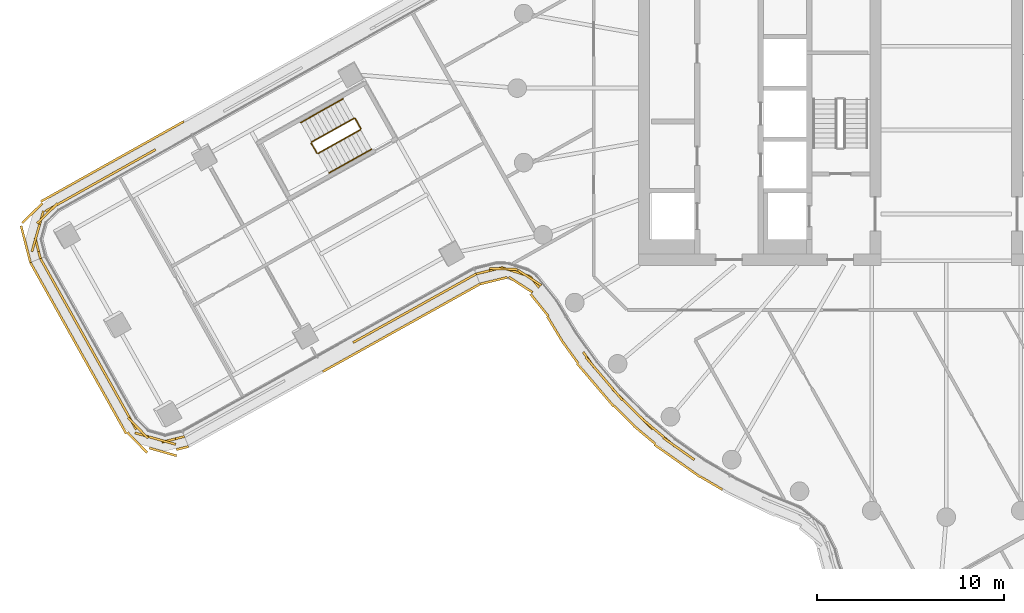
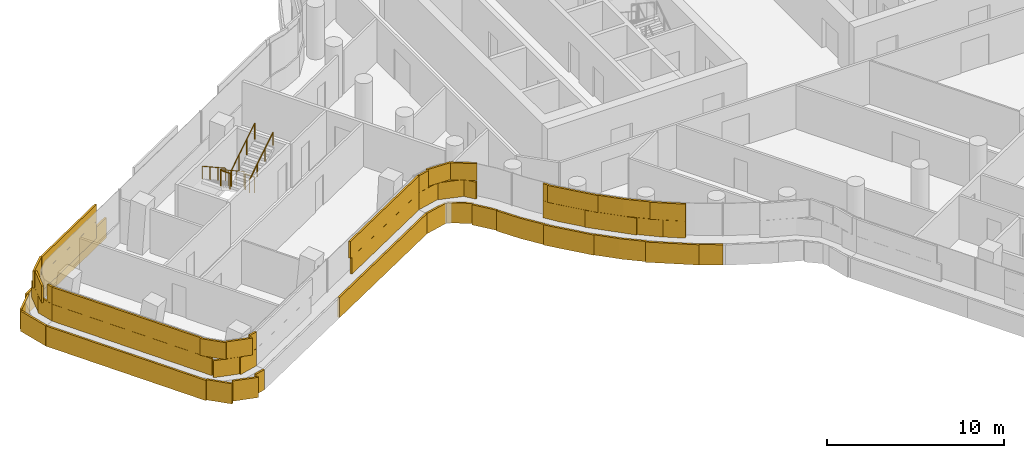
# One storey, part 29 of 34: 6 railings, 4 coverings.
"""IFC4 building model written with IfcOpenShell, lengths in metres."""

from ifc_helpers import new_model, si_unit, direction, frame, origin, origin_2d, place, context, subcontext, project, spatial, rectangle, circle, extrude, material, layer, layer_set, type_object, element, save


model = new_model("IFC4")

# Units and contexts
model_context = context("Model", 3, precision=1e-05, world=origin(), true_north=direction((0.0, 1.0)))
body_context = subcontext(model_context, "Body", "Model", "MODEL_VIEW")
ifc_project = project(units=[si_unit("LENGTHUNIT", "METRE"), si_unit("AREAUNIT", "SQUARE_METRE"), si_unit("VOLUMEUNIT", "CUBIC_METRE"), si_unit("PLANEANGLEUNIT", "RADIAN"), si_unit("MASSUNIT", "GRAM", prefix="KILO")], contexts=[model_context])

# Site, building, storey
site_placement = place(None, origin())
site = spatial("IfcSite", under=ifc_project, at=site_placement, CompositionType="ELEMENT")
building_placement = place(site_placement, origin())
building = spatial("IfcBuilding", under=site, at=building_placement, Name="Tamarind Cross Interchange Tower", CompositionType="ELEMENT")
storey_placement = place(building_placement, frame((0.0, 0.0, 140.5)))
storey = spatial("IfcBuildingStorey", under=building, at=storey_placement, Name="L34", CompositionType="ELEMENT", Elevation=140.5)

# Railings
ifc_material_1 = material(Name="Stair guard")
railing_type_1 = type_object("IfcRailingType", Name="Stair guard", PredefinedType="GUARDRAIL", material=ifc_material_1)
railing_1_placement = place(storey_placement, frame((-31.7509765625, -1.6220703125, 0.17041015625)))
element("IfcRailing", 1, at=railing_1_placement, inside=storey, type_object=railing_type_1, Name="L34 ST5 stair guard 1", PredefinedType="GUARDRAIL", context=body_context, shape_type="SweptSolid", body=[
    extrude(circle(Radius=0.02392578125, at=origin_2d()), frame((0.0, 0.0, 1.076171875), z_axis=(-0.72962628909, -0.408672393545, 0.548299510325), x_axis=(0.488677712788, -0.87246437923, 0.0)), (0.0, 0.0, 1.0), 3.10888671875),
    extrude(circle(Radius=0.02099609375, at=origin_2d()), origin(), (0.0, 0.0, 1.0), 1.052001953125),
    extrude(circle(Radius=0.02099609375, at=origin_2d()), frame((-0.756103515625, -0.423583984375, 0.568115234375)), (0.0, 0.0, 1.0), 1.052001953125),
    extrude(circle(Radius=0.02099609375, at=origin_2d()), frame((-1.51220703125, -0.846923828125, 1.136474609375)), (0.0, 0.0, 1.0), 1.052001953125),
    extrude(circle(Radius=0.02099609375, at=origin_2d()), frame((-2.268310546875, -1.2705078125, 1.70458984375)), (0.0, 0.0, 1.0), 1.052001953125),
])
railing_2_placement = place(storey_placement, frame((-34.03857421875, -2.960693359375, 1.875)))
element("IfcRailing", 2, at=railing_2_placement, inside=storey, type_object=railing_type_1, Name="L34 ST5 stair guard 2", PredefinedType="GUARDRAIL", context=body_context, shape_type="SweptSolid", body=[
    extrude(circle(Radius=0.02392578125, at=origin_2d()), frame((0.0, 0.0, 1.076171875), z_axis=(0.488714884725, -0.872443557744, 0.0), x_axis=(0.872443557744, 0.488714884725, 0.0)), (0.0, 0.0, 1.0), 0.599853515625),
    extrude(circle(Radius=0.02099609375, at=origin_2d()), origin(), (0.0, 0.0, 1.0), 1.052001953125),
    extrude(circle(Radius=0.02099609375, at=origin_2d()), frame((0.293212890625, -0.5234375, 0.0)), (0.0, 0.0, 1.0), 1.052001953125),
])
railing_3_placement = place(storey_placement, frame((-33.67724609375, -3.50341796875, 2.04541015625)))
element("IfcRailing", 3, at=railing_3_placement, inside=storey, type_object=railing_type_1, Name="L34 ST5 stair guard 3", PredefinedType="GUARDRAIL", context=body_context, shape_type="SweptSolid", body=[
    extrude(circle(Radius=0.02392578125, at=origin_2d()), frame((0.0, 0.0, 1.076171875), z_axis=(0.72960287191, 0.408737805219, 0.548281912784), x_axis=(-0.488749187227, 0.872424341696, 0.0)), (0.0, 0.0, 1.0), 3.10888671875),
    extrude(circle(Radius=0.02099609375, at=origin_2d()), origin(), (0.0, 0.0, 1.0), 1.052001953125),
    extrude(circle(Radius=0.02099609375, at=origin_2d()), frame((0.756103515625, 0.423583984375, 0.568115234375)), (0.0, 0.0, 1.0), 1.052001953125),
    extrude(circle(Radius=0.02099609375, at=origin_2d()), frame((1.51220703125, 0.84716796875, 1.136474609375)), (0.0, 0.0, 1.0), 1.052001953125),
    extrude(circle(Radius=0.02099609375, at=origin_2d()), frame((2.268310546875, 1.270751953125, 1.70458984375)), (0.0, 0.0, 1.0), 1.052001953125),
])
railing_4_placement = place(storey_placement, frame((-31.682861328125, -1.641357421875, 0.0)))
element("IfcRailing", 4, at=railing_4_placement, inside=storey, type_object=railing_type_1, Name="L34 ST5 stair guard 4", PredefinedType="GUARDRAIL", context=body_context, shape_type="SweptSolid", body=[
    extrude(circle(Radius=0.02392578125, at=origin_2d()), frame((0.0, 0.0, 1.076171875), z_axis=(0.488714884725, -0.872443557744, 0.0), x_axis=(0.872443557744, 0.488714884725, 0.0)), (0.0, 0.0, 1.0), 0.599853515625),
    extrude(circle(Radius=0.02099609375, at=origin_2d()), origin(), (0.0, 0.0, 1.0), 1.052001953125),
    extrude(circle(Radius=0.02099609375, at=origin_2d()), frame((0.293212890625, -0.5234375, 0.0)), (0.0, 0.0, 1.0), 1.052001953125),
])
ifc_material_2 = material(Name="Stair handrail")
railing_type_2 = type_object("IfcRailingType", Name="Stair handrail", PredefinedType="HANDRAIL", material=ifc_material_2)
railing_5_placement = place(storey_placement, frame((-32.33740234375, -0.5751953125, 0.17041015625)))
element("IfcRailing", 5, at=railing_5_placement, inside=storey, type_object=railing_type_2, Name="L34 ST5 stair handrail 1", PredefinedType="HANDRAIL", context=body_context, shape_type="SweptSolid", body=[
    extrude(circle(Radius=0.02392578125, at=origin_2d()), frame((0.0, 0.0, 0.8759765625), z_axis=(-0.72962628909, -0.408672393545, 0.548299510325), x_axis=(0.488677712788, -0.87246437923, 0.0)), (0.0, 0.0, 1.0), 3.10888671875),
    extrude(circle(Radius=0.02099609375, at=origin_2d()), origin(), (0.0, 0.0, 1.0), 0.851806640625),
    extrude(circle(Radius=0.02099609375, at=origin_2d()), frame((-0.756103515625, -0.423583984375, 0.568115234375)), (0.0, 0.0, 1.0), 0.851806640625),
    extrude(circle(Radius=0.02099609375, at=origin_2d()), frame((-1.51220703125, -0.846923828125, 1.136474609375)), (0.0, 0.0, 1.0), 0.851806640625),
    extrude(circle(Radius=0.02099609375, at=origin_2d()), frame((-2.268310546875, -1.2705078125, 1.70458984375)), (0.0, 0.0, 1.0), 0.851806640625),
])
railing_6_placement = place(storey_placement, frame((-33.0908203125, -4.55029296875, 2.04541015625)))
element("IfcRailing", 6, at=railing_6_placement, inside=storey, type_object=railing_type_2, Name="L34 ST5 stair handrail 2", PredefinedType="HANDRAIL", context=body_context, shape_type="SweptSolid", body=[
    extrude(circle(Radius=0.02392578125, at=origin_2d()), frame((0.0, 0.0, 0.8759765625), z_axis=(0.72962628909, 0.408672393545, 0.548299510325), x_axis=(-0.488677712788, 0.87246437923, 0.0)), (0.0, 0.0, 1.0), 3.10888671875),
    extrude(circle(Radius=0.02099609375, at=origin_2d()), origin(), (0.0, 0.0, 1.0), 0.851806640625),
    extrude(circle(Radius=0.02099609375, at=origin_2d()), frame((0.756103515625, 0.423583984375, 0.568115234375)), (0.0, 0.0, 1.0), 0.851806640625),
    extrude(circle(Radius=0.02099609375, at=origin_2d()), frame((1.51220703125, 0.846923828125, 1.136474609375)), (0.0, 0.0, 1.0), 0.851806640625),
    extrude(circle(Radius=0.02099609375, at=origin_2d()), frame((2.268310546875, 1.2705078125, 1.70458984375)), (0.0, 0.0, 1.0), 0.851806640625),
])

# Coverings
ifc_material_3 = material(Name="Terracotta", Category="masonry")
ifc_layer = layer(ifc_material_3, 0.1201171875)
ifc_layer_set = layer_set([ifc_layer], Name="Terracotta")
covering_type = type_object("IfcCoveringType", Name="Terracotta baguette screen unit", PredefinedType="MOLDING", material=ifc_layer_set)
covering_1_placement = place(storey_placement, origin())
element("IfcCovering", 7, at=covering_1_placement, inside=storey, type_object=covering_type, Name="SCR-L34-00-00", PredefinedType="MOLDING", context=body_context, shape_type="SweptSolid", body=[
    extrude(rectangle(XDim=1.510009765625, YDim=0.1201171875, at=origin_2d()), frame((-48.196533203125, -9.78857421875, 1.404052734375), z_axis=(0.0, 0.0, 1.0), x_axis=(0.488688242939, -0.872458481082, 0.0)), (0.0, 0.0, 1.0), 1.1669921875),
    extrude(rectangle(XDim=1.52001953125, YDim=0.1201171875, at=origin_2d()), frame((-47.46337890625, -11.09716796875, 1.404052734375), z_axis=(0.0, 0.0, 1.0), x_axis=(0.488688242939, -0.872458481082, 0.0)), (0.0, 0.0, 1.0), 1.1669921875),
    extrude(rectangle(XDim=1.52001953125, YDim=0.1201171875, at=origin_2d()), frame((-46.73046875, -12.40576171875, 1.404052734375), z_axis=(0.0, 0.0, 1.0), x_axis=(0.488688242939, -0.872458481082, 0.0)), (0.0, 0.0, 1.0), 1.1669921875),
    extrude(rectangle(XDim=1.52001953125, YDim=0.1201171875, at=origin_2d()), frame((-45.997314453125, -13.714599609375, 1.404052734375), z_axis=(0.0, 0.0, 1.0), x_axis=(0.488688242939, -0.872458481082, 0.0)), (0.0, 0.0, 1.0), 1.1669921875),
    extrude(rectangle(XDim=1.52001953125, YDim=0.1201171875, at=origin_2d()), frame((-45.264404296875, -15.023193359375, 1.404052734375), z_axis=(0.0, 0.0, 1.0), x_axis=(0.488688242939, -0.872458481082, 0.0)), (0.0, 0.0, 1.0), 1.1669921875),
    extrude(rectangle(XDim=1.52001953125, YDim=0.1201171875, at=origin_2d()), frame((-44.53125, -16.331787109375, 1.404052734375), z_axis=(0.0, 0.0, 1.0), x_axis=(0.488688242939, -0.872458481082, 0.0)), (0.0, 0.0, 1.0), 1.1669921875),
    extrude(rectangle(XDim=1.52001953125, YDim=0.1201171875, at=origin_2d()), frame((-43.79833984375, -17.640625, 1.404052734375), z_axis=(0.0, 0.0, 1.0), x_axis=(0.488688242939, -0.872458481082, 0.0)), (0.0, 0.0, 1.0), 1.1669921875),
    extrude(rectangle(XDim=1.52001953125, YDim=0.1201171875, at=origin_2d()), frame((-42.767578125, -18.688720703125, 1.404052734375), z_axis=(0.0, 0.0, 1.0), x_axis=(0.962476078746, -0.271366537809, 0.0)), (0.0, 0.0, 1.0), 1.1669921875),
    extrude(rectangle(XDim=1.259521484375, YDim=0.1201171875, at=origin_2d()), frame((-41.44140625, -18.830810546875, 1.404052734375), z_axis=(0.0, 0.0, 1.0), x_axis=(0.969212003633, 0.246227723894, 0.0)), (0.0, 0.0, 1.0), 1.1669921875),
    extrude(rectangle(XDim=0.760009765625, YDim=0.1201171875, at=origin_2d()), frame((-48.379638671875, -9.461181640625, 2.5791015625), z_axis=(0.0, 0.0, 1.0), x_axis=(0.488688242939, -0.872458481082, 0.0)), (0.0, 0.0, 1.0), 1.1669921875),
    extrude(rectangle(XDim=1.52001953125, YDim=0.1201171875, at=origin_2d()), frame((-47.829833984375, -10.44287109375, 2.5791015625), z_axis=(0.0, 0.0, 1.0), x_axis=(0.488688242939, -0.872458481082, 0.0)), (0.0, 0.0, 1.0), 1.1669921875),
    extrude(rectangle(XDim=1.52001953125, YDim=0.1201171875, at=origin_2d()), frame((-47.096923828125, -11.75146484375, 2.5791015625), z_axis=(0.0, 0.0, 1.0), x_axis=(0.488688242939, -0.872458481082, 0.0)), (0.0, 0.0, 1.0), 1.1669921875),
    extrude(rectangle(XDim=1.52001953125, YDim=0.1201171875, at=origin_2d()), frame((-46.36376953125, -13.060302734375, 2.5791015625), z_axis=(0.0, 0.0, 1.0), x_axis=(0.488688242939, -0.872458481082, 0.0)), (0.0, 0.0, 1.0), 1.1669921875),
    extrude(rectangle(XDim=1.52001953125, YDim=0.1201171875, at=origin_2d()), frame((-45.630859375, -14.368896484375, 2.5791015625), z_axis=(0.0, 0.0, 1.0), x_axis=(0.488688242939, -0.872458481082, 0.0)), (0.0, 0.0, 1.0), 1.1669921875),
    extrude(rectangle(XDim=1.52001953125, YDim=0.1201171875, at=origin_2d()), frame((-44.897705078125, -15.677490234375, 2.5791015625), z_axis=(0.0, 0.0, 1.0), x_axis=(0.488688242939, -0.872458481082, 0.0)), (0.0, 0.0, 1.0), 1.1669921875),
    extrude(rectangle(XDim=1.52001953125, YDim=0.1201171875, at=origin_2d()), frame((-44.164794921875, -16.986328125, 2.5791015625), z_axis=(0.0, 0.0, 1.0), x_axis=(0.488688242939, -0.872458481082, 0.0)), (0.0, 0.0, 1.0), 1.1669921875),
    extrude(rectangle(XDim=1.52001953125, YDim=0.1201171875, at=origin_2d()), frame((-43.33203125, -18.220458984375, 2.5791015625), z_axis=(0.0, 0.0, 1.0), x_axis=(0.697845465824, -0.716248354852, 0.0)), (0.0, 0.0, 1.0), 1.1669921875),
    extrude(rectangle(XDim=1.52001953125, YDim=0.1201171875, at=origin_2d()), frame((-42.0458984375, -18.892333984375, 2.5791015625), z_axis=(0.0, 0.0, 1.0), x_axis=(0.962476078746, -0.271366537809, 0.0)), (0.0, 0.0, 1.0), 1.1669921875),
    extrude(rectangle(XDim=0.509521484375, YDim=0.1201171875, at=origin_2d()), frame((-41.077880859375, -18.738525390625, 2.5791015625), z_axis=(0.0, 0.0, 1.0), x_axis=(0.969212003633, 0.246227723894, 0.0)), (0.0, 0.0, 1.0), 1.1669921875),
    extrude(rectangle(XDim=1.510009765625, YDim=0.1201171875, at=origin_2d()), frame((-48.731689453125, -10.00732421875, 0.00390625), z_axis=(0.0, 0.0, 1.0), x_axis=(0.488688242939, -0.872458481082, 0.0)), (0.0, 0.0, 1.0), 1.39208984375),
    extrude(rectangle(XDim=1.52001953125, YDim=0.1201171875, at=origin_2d()), frame((-48.001220703125, -11.311767578125, 0.00390625), z_axis=(0.0, 0.0, 1.0), x_axis=(0.488688242939, -0.872458481082, 0.0)), (0.0, 0.0, 1.0), 1.39208984375),
    extrude(rectangle(XDim=1.52001953125, YDim=0.1201171875, at=origin_2d()), frame((-47.26806640625, -12.620361328125, 0.00390625), z_axis=(0.0, 0.0, 1.0), x_axis=(0.488688242939, -0.872458481082, 0.0)), (0.0, 0.0, 1.0), 1.39208984375),
    extrude(rectangle(XDim=1.52001953125, YDim=0.1201171875, at=origin_2d()), frame((-46.53515625, -13.92919921875, 0.00390625), z_axis=(0.0, 0.0, 1.0), x_axis=(0.488688242939, -0.872458481082, 0.0)), (0.0, 0.0, 1.0), 1.39208984375),
    extrude(rectangle(XDim=1.52001953125, YDim=0.1201171875, at=origin_2d()), frame((-45.802001953125, -15.23779296875, 0.00390625), z_axis=(0.0, 0.0, 1.0), x_axis=(0.488688242939, -0.872458481082, 0.0)), (0.0, 0.0, 1.0), 1.39208984375),
    extrude(rectangle(XDim=1.52001953125, YDim=0.1201171875, at=origin_2d()), frame((-45.069091796875, -16.54638671875, 0.00390625), z_axis=(0.0, 0.0, 1.0), x_axis=(0.488688242939, -0.872458481082, 0.0)), (0.0, 0.0, 1.0), 1.39208984375),
    extrude(rectangle(XDim=1.52001953125, YDim=0.1201171875, at=origin_2d()), frame((-44.3359375, -17.855224609375, 0.00390625), z_axis=(0.0, 0.0, 1.0), x_axis=(0.488688242939, -0.872458481082, 0.0)), (0.0, 0.0, 1.0), 1.39208984375),
    extrude(rectangle(XDim=1.52001953125, YDim=0.1201171875, at=origin_2d()), frame((-43.3779296875, -18.995849609375, 0.00390625), z_axis=(0.0, 0.0, 1.0), x_axis=(0.697845465824, -0.716248354852, 0.0)), (0.0, 0.0, 1.0), 1.39208984375),
    extrude(rectangle(XDim=1.52001953125, YDim=0.1201171875, at=origin_2d()), frame((-41.993896484375, -19.503173828125, 0.00390625), z_axis=(0.0, 0.0, 1.0), x_axis=(0.962476078746, -0.271366537809, 0.0)), (0.0, 0.0, 1.0), 1.39208984375),
    extrude(rectangle(XDim=0.676513671875, YDim=0.1201171875, at=origin_2d()), frame((-40.94970703125, -19.298095703125, 0.00390625), z_axis=(0.0, 0.0, 1.0), x_axis=(0.969212003633, 0.246227723894, 0.0)), (0.0, 0.0, 1.0), 1.39208984375),
])
covering_2_placement = place(storey_placement, origin())
element("IfcCovering", 8, at=covering_2_placement, inside=storey, type_object=covering_type, Name="SCR-L34-01-01", PredefinedType="MOLDING", context=body_context, shape_type="SweptSolid", body=[
    extrude(rectangle(XDim=1.52001953125, YDim=0.1201171875, at=origin_2d()), frame((-31.009521484375, -13.19921875, 1.404052734375), z_axis=(0.0, 0.0, 1.0), x_axis=(0.873449626547, 0.486914520101, 0.0)), (0.0, 0.0, 1.0), 1.1669921875),
    extrude(rectangle(XDim=1.52001953125, YDim=0.1201171875, at=origin_2d()), frame((-29.699462890625, -12.46875, 1.404052734375), z_axis=(0.0, 0.0, 1.0), x_axis=(0.873449626547, 0.486914520101, 0.0)), (0.0, 0.0, 1.0), 1.1669921875),
    extrude(rectangle(XDim=1.52001953125, YDim=0.1201171875, at=origin_2d()), frame((-28.38916015625, -11.738525390625, 1.404052734375), z_axis=(0.0, 0.0, 1.0), x_axis=(0.873449626547, 0.486914520101, 0.0)), (0.0, 0.0, 1.0), 1.1669921875),
    extrude(rectangle(XDim=1.52001953125, YDim=0.1201171875, at=origin_2d()), frame((-27.0791015625, -11.008056640625, 1.404052734375), z_axis=(0.0, 0.0, 1.0), x_axis=(0.873449626547, 0.486914520101, 0.0)), (0.0, 0.0, 1.0), 1.1669921875),
    extrude(rectangle(XDim=1.403564453125, YDim=0.1201171875, at=origin_2d()), frame((-25.8154296875, -10.303466796875, 1.404052734375), z_axis=(0.0, 0.0, 1.0), x_axis=(0.873449626547, 0.486914520101, 0.0)), (0.0, 0.0, 1.0), 1.1669921875),
    extrude(rectangle(XDim=0.911376953125, YDim=0.1201171875, at=origin_2d()), frame((-31.4033203125, -13.418701171875, 2.5791015625), z_axis=(0.0, 0.0, 1.0), x_axis=(0.873449626547, 0.486914520101, 0.0)), (0.0, 0.0, 1.0), 1.1669921875),
    extrude(rectangle(XDim=1.52001953125, YDim=0.1201171875, at=origin_2d()), frame((-30.3544921875, -12.833984375, 2.5791015625), z_axis=(0.0, 0.0, 1.0), x_axis=(0.873449626547, 0.486914520101, 0.0)), (0.0, 0.0, 1.0), 1.1669921875),
    extrude(rectangle(XDim=1.52001953125, YDim=0.1201171875, at=origin_2d()), frame((-29.04443359375, -12.103515625, 2.5791015625), z_axis=(0.0, 0.0, 1.0), x_axis=(0.873449626547, 0.486914520101, 0.0)), (0.0, 0.0, 1.0), 1.1669921875),
    extrude(rectangle(XDim=1.52001953125, YDim=0.1201171875, at=origin_2d()), frame((-27.734130859375, -11.373291015625, 2.5791015625), z_axis=(0.0, 0.0, 1.0), x_axis=(0.873449626547, 0.486914520101, 0.0)), (0.0, 0.0, 1.0), 1.1669921875),
    extrude(rectangle(XDim=1.52001953125, YDim=0.1201171875, at=origin_2d()), frame((-26.424072265625, -10.642822265625, 2.5791015625), z_axis=(0.0, 0.0, 1.0), x_axis=(0.873449626547, 0.486914520101, 0.0)), (0.0, 0.0, 1.0), 1.1669921875),
    extrude(rectangle(XDim=0.653564453125, YDim=0.1201171875, at=origin_2d()), frame((-25.48779296875, -10.120849609375, 2.5791015625), z_axis=(0.0, 0.0, 1.0), x_axis=(0.873449626547, 0.486914520101, 0.0)), (0.0, 0.0, 1.0), 1.1669921875),
    extrude(rectangle(XDim=0.7626953125, YDim=0.1201171875, at=origin_2d()), frame((-33.085205078125, -15.013427734375, 0.00390625), z_axis=(0.0, 0.0, 1.0), x_axis=(0.873449626547, 0.486914520101, 0.0)), (0.0, 0.0, 1.0), 1.39208984375),
    extrude(rectangle(XDim=1.52001953125, YDim=0.1201171875, at=origin_2d()), frame((-32.105712890625, -14.46728515625, 0.00390625), z_axis=(0.0, 0.0, 1.0), x_axis=(0.873449626547, 0.486914520101, 0.0)), (0.0, 0.0, 1.0), 1.39208984375),
    extrude(rectangle(XDim=1.52001953125, YDim=0.1201171875, at=origin_2d()), frame((-30.795654296875, -13.737060546875, 0.00390625), z_axis=(0.0, 0.0, 1.0), x_axis=(0.873449626547, 0.486914520101, 0.0)), (0.0, 0.0, 1.0), 1.39208984375),
    extrude(rectangle(XDim=1.52001953125, YDim=0.1201171875, at=origin_2d()), frame((-29.4853515625, -13.006591796875, 0.00390625), z_axis=(0.0, 0.0, 1.0), x_axis=(0.873449626547, 0.486914520101, 0.0)), (0.0, 0.0, 1.0), 1.39208984375),
    extrude(rectangle(XDim=1.52001953125, YDim=0.1201171875, at=origin_2d()), frame((-28.17529296875, -12.2763671875, 0.00390625), z_axis=(0.0, 0.0, 1.0), x_axis=(0.873449626547, 0.486914520101, 0.0)), (0.0, 0.0, 1.0), 1.39208984375),
    extrude(rectangle(XDim=1.52001953125, YDim=0.1201171875, at=origin_2d()), frame((-26.864990234375, -11.5458984375, 0.00390625), z_axis=(0.0, 0.0, 1.0), x_axis=(0.873449626547, 0.486914520101, 0.0)), (0.0, 0.0, 1.0), 1.39208984375),
    extrude(rectangle(XDim=1.40087890625, YDim=0.1201171875, at=origin_2d()), frame((-25.60693359375, -10.844482421875, 0.00390625), z_axis=(0.0, 0.0, 1.0), x_axis=(0.873449626547, 0.486914520101, 0.0)), (0.0, 0.0, 1.0), 1.39208984375),
])
covering_3_placement = place(storey_placement, origin())
element("IfcCovering", 9, at=covering_3_placement, inside=storey, type_object=covering_type, Name="SCR-L34-02-00", PredefinedType="MOLDING", context=body_context, shape_type="SweptSolid", body=[
    extrude(rectangle(XDim=1.510009765625, YDim=0.1201171875, at=origin_2d()), frame((-24.47802734375, -9.786376953125, 1.404052734375), z_axis=(0.0, 0.0, 1.0), x_axis=(0.971463193189, 0.237190354523, 0.0)), (0.0, 0.0, 1.0), 1.1669921875),
    extrude(rectangle(XDim=1.52001953125, YDim=0.1201171875, at=origin_2d()), frame((-23.0166015625, -9.873046875, 1.404052734375), z_axis=(0.0, 0.0, 1.0), x_axis=(0.954519224324, -0.298149375979, 0.0)), (0.0, 0.0, 1.0), 1.1669921875),
    extrude(rectangle(XDim=0.748046875, YDim=0.1201171875, at=origin_2d()), frame((-22.057861328125, -10.4052734375, 1.404052734375), z_axis=(0.0, 0.0, 1.0), x_axis=(0.625954972902, -0.779859200048, 0.0)), (0.0, 0.0, 1.0), 1.1669921875),
    extrude(rectangle(XDim=1.072021484375, YDim=0.1201171875, at=origin_2d()), frame((-19.15185546875, -14.58642578125, 1.404052734375), z_axis=(0.0, 0.0, 1.0), x_axis=(0.584573890505, -0.811340475102, 0.0)), (0.0, 0.0, 1.0), 1.1669921875),
    extrude(rectangle(XDim=1.52001953125, YDim=0.1201171875, at=origin_2d()), frame((-18.3427734375, -15.57861328125, 1.404052734375), z_axis=(0.0, 0.0, 1.0), x_axis=(0.64957723968, -0.760295606781, 0.0)), (0.0, 0.0, 1.0), 1.1669921875),
    extrude(rectangle(XDim=1.52001953125, YDim=0.1201171875, at=origin_2d()), frame((-17.342041015625, -16.694580078125, 1.404052734375), z_axis=(0.0, 0.0, 1.0), x_axis=(0.710143317658, -0.704057148523, 0.0)), (0.0, 0.0, 1.0), 1.1669921875),
    extrude(rectangle(XDim=1.52001953125, YDim=0.1201171875, at=origin_2d()), frame((-16.27685546875, -17.750732421875, 1.404052734375), z_axis=(0.0, 0.0, 1.0), x_axis=(0.710143317658, -0.704057148523, 0.0)), (0.0, 0.0, 1.0), 1.1669921875),
    extrude(rectangle(XDim=1.52001953125, YDim=0.1201171875, at=origin_2d()), frame((-15.13134765625, -18.71875, 1.404052734375), z_axis=(0.0, 0.0, 1.0), x_axis=(0.765858396687, -0.643009266048, 0.0)), (0.0, 0.0, 1.0), 1.1669921875),
    extrude(rectangle(XDim=1.2763671875, YDim=0.1201171875, at=origin_2d()), frame((-14.02978515625, -19.553466796875, 1.404052734375), z_axis=(0.0, 0.0, 1.0), x_axis=(0.816341886298, -0.577568978284, 0.0)), (0.0, 0.0, 1.0), 1.1669921875),
    extrude(rectangle(XDim=0.760009765625, YDim=0.1201171875, at=origin_2d()), frame((-24.84228515625, -9.875244140625, 2.5791015625), z_axis=(0.0, 0.0, 1.0), x_axis=(0.971463193189, 0.237190354523, 0.0)), (0.0, 0.0, 1.0), 1.1669921875),
    extrude(rectangle(XDim=1.52001953125, YDim=0.1201171875, at=origin_2d()), frame((-23.740478515625, -9.6962890625, 2.5791015625), z_axis=(0.0, 0.0, 1.0), x_axis=(0.999499487197, -0.031635029539, 0.0)), (0.0, 0.0, 1.0), 1.1669921875),
    extrude(rectangle(XDim=1.498046875, YDim=0.1201171875, at=origin_2d()), frame((-22.3388671875, -10.1640625, 2.5791015625), z_axis=(0.0, 0.0, 1.0), x_axis=(0.839808353158, -0.542882979993, 0.0)), (0.0, 0.0, 1.0), 1.1669921875),
    extrude(rectangle(XDim=0.322021484375, YDim=0.1201171875, at=origin_2d()), frame((-19.370849609375, -14.2822265625, 2.5791015625), z_axis=(0.0, 0.0, 1.0), x_axis=(0.584573890505, -0.811340475102, 0.0)), (0.0, 0.0, 1.0), 1.1669921875),
    extrude(rectangle(XDim=1.52001953125, YDim=0.1201171875, at=origin_2d()), frame((-18.830078125, -15.00830078125, 2.5791015625), z_axis=(0.0, 0.0, 1.0), x_axis=(0.64957723968, -0.760295606781, 0.0)), (0.0, 0.0, 1.0), 1.1669921875),
    extrude(rectangle(XDim=1.52001953125, YDim=0.1201171875, at=origin_2d()), frame((-17.855712890625, -16.14892578125, 2.5791015625), z_axis=(0.0, 0.0, 1.0), x_axis=(0.64957723968, -0.760295606781, 0.0)), (0.0, 0.0, 1.0), 1.1669921875),
    extrude(rectangle(XDim=1.52001953125, YDim=0.1201171875, at=origin_2d()), frame((-16.8095703125, -17.22265625, 2.5791015625), z_axis=(0.0, 0.0, 1.0), x_axis=(0.710143317658, -0.704057148523, 0.0)), (0.0, 0.0, 1.0), 1.1669921875),
    extrude(rectangle(XDim=1.52001953125, YDim=0.1201171875, at=origin_2d()), frame((-15.70556640625, -18.236572265625, 2.5791015625), z_axis=(0.0, 0.0, 1.0), x_axis=(0.765858396687, -0.643009266048, 0.0)), (0.0, 0.0, 1.0), 1.1669921875),
    extrude(rectangle(XDim=1.52001953125, YDim=0.1201171875, at=origin_2d()), frame((-14.546630859375, -19.187744140625, 2.5791015625), z_axis=(0.0, 0.0, 1.0), x_axis=(0.816341886298, -0.577568978284, 0.0)), (0.0, 0.0, 1.0), 1.1669921875),
    extrude(rectangle(XDim=0.5263671875, YDim=0.1201171875, at=origin_2d()), frame((-13.7236328125, -19.77001953125, 2.5791015625), z_axis=(0.0, 0.0, 1.0), x_axis=(0.816341886298, -0.577568978284, 0.0)), (0.0, 0.0, 1.0), 1.1669921875),
    extrude(rectangle(XDim=1.510009765625, YDim=0.1201171875, at=origin_2d()), frame((-24.26171875, -10.324462890625, 0.00390625), z_axis=(0.0, 0.0, 1.0), x_axis=(0.971463193189, 0.237190354523, 0.0)), (0.0, 0.0, 1.0), 1.39208984375),
    extrude(rectangle(XDim=1.52001953125, YDim=0.1201171875, at=origin_2d()), frame((-22.8154296875, -10.53955078125, 0.00390625), z_axis=(0.0, 0.0, 1.0), x_axis=(0.839808353158, -0.542882979993, 0.0)), (0.0, 0.0, 1.0), 1.39208984375),
    extrude(rectangle(XDim=1.52001953125, YDim=0.1201171875, at=origin_2d()), frame((-21.80810546875, -11.63330078125, 0.00390625), z_axis=(0.0, 0.0, 1.0), x_axis=(0.625954972902, -0.779859200048, 0.0)), (0.0, 0.0, 1.0), 1.39208984375),
    extrude(rectangle(XDim=1.52001953125, YDim=0.1201171875, at=origin_2d()), frame((-20.998046875, -12.89306640625, 0.00390625), z_axis=(0.0, 0.0, 1.0), x_axis=(0.515577308909, -0.856843065292, 0.0)), (0.0, 0.0, 1.0), 1.39208984375),
    extrude(rectangle(XDim=1.52001953125, YDim=0.1201171875, at=origin_2d()), frame((-20.17626953125, -14.146484375, 0.00390625), z_axis=(0.0, 0.0, 1.0), x_axis=(0.584573890505, -0.811340475102, 0.0)), (0.0, 0.0, 1.0), 1.39208984375),
    extrude(rectangle(XDim=1.52001953125, YDim=0.1201171875, at=origin_2d()), frame((-19.288818359375, -15.35498046875, 0.00390625), z_axis=(0.0, 0.0, 1.0), x_axis=(0.64957723968, -0.760295606781, 0.0)), (0.0, 0.0, 1.0), 1.39208984375),
    extrude(rectangle(XDim=1.52001953125, YDim=0.1201171875, at=origin_2d()), frame((-18.314453125, -16.495361328125, 0.00390625), z_axis=(0.0, 0.0, 1.0), x_axis=(0.64957723968, -0.760295606781, 0.0)), (0.0, 0.0, 1.0), 1.39208984375),
    extrude(rectangle(XDim=1.52001953125, YDim=0.1201171875, at=origin_2d()), frame((-17.27197265625, -17.572509765625, 0.00390625), z_axis=(0.0, 0.0, 1.0), x_axis=(0.710143317658, -0.704057148523, 0.0)), (0.0, 0.0, 1.0), 1.39208984375),
    extrude(rectangle(XDim=1.52001953125, YDim=0.1201171875, at=origin_2d()), frame((-16.173828125, -18.5927734375, 0.00390625), z_axis=(0.0, 0.0, 1.0), x_axis=(0.765858396687, -0.643009266048, 0.0)), (0.0, 0.0, 1.0), 1.39208984375),
    extrude(rectangle(XDim=1.52001953125, YDim=0.1201171875, at=origin_2d()), frame((-15.022705078125, -19.55419921875, 0.00390625), z_axis=(0.0, 0.0, 1.0), x_axis=(0.816341886298, -0.577568978284, 0.0)), (0.0, 0.0, 1.0), 1.39208984375),
    extrude(rectangle(XDim=1.52001953125, YDim=0.1201171875, at=origin_2d()), frame((-13.798095703125, -20.42041015625, 0.00390625), z_axis=(0.0, 0.0, 1.0), x_axis=(0.816341886298, -0.577568978284, 0.0)), (0.0, 0.0, 1.0), 1.39208984375),
    extrude(rectangle(XDim=1.36474609375, YDim=0.1201171875, at=origin_2d()), frame((-12.59521484375, -21.17724609375, 0.00390625), z_axis=(0.0, 0.0, 1.0), x_axis=(0.861248933065, -0.508183308752, 0.0)), (0.0, 0.0, 1.0), 1.39208984375),
])
covering_4_placement = place(storey_placement, origin())
element("IfcCovering", 10, at=covering_4_placement, inside=storey, type_object=covering_type, Name="SCR-L34-15-02", PredefinedType="MOLDING", context=body_context, shape_type="SweptSolid", body=[
    extrude(rectangle(XDim=0.75634765625, YDim=0.1201171875, at=origin_2d()), frame((-42.72119140625, -3.480224609375, 1.404052734375), z_axis=(0.0, 0.0, 1.0), x_axis=(-0.872458481082, -0.488688242939, 0.0)), (0.0, 0.0, 1.0), 1.1669921875),
    extrude(rectangle(XDim=1.52001953125, YDim=0.1201171875, at=origin_2d()), frame((-43.701171875, -4.029052734375, 1.404052734375), z_axis=(0.0, 0.0, 1.0), x_axis=(-0.872458481082, -0.488688242939, 0.0)), (0.0, 0.0, 1.0), 1.1669921875),
    extrude(rectangle(XDim=1.52001953125, YDim=0.1201171875, at=origin_2d()), frame((-45.010009765625, -4.761962890625, 1.404052734375), z_axis=(0.0, 0.0, 1.0), x_axis=(-0.872458481082, -0.488688242939, 0.0)), (0.0, 0.0, 1.0), 1.1669921875),
    extrude(rectangle(XDim=1.52001953125, YDim=0.1201171875, at=origin_2d()), frame((-46.318603515625, -5.4951171875, 1.404052734375), z_axis=(0.0, 0.0, 1.0), x_axis=(-0.872458481082, -0.488688242939, 0.0)), (0.0, 0.0, 1.0), 1.1669921875),
    extrude(rectangle(XDim=1.52001953125, YDim=0.1201171875, at=origin_2d()), frame((-47.627197265625, -6.22802734375, 1.404052734375), z_axis=(0.0, 0.0, 1.0), x_axis=(-0.872458481082, -0.488688242939, 0.0)), (0.0, 0.0, 1.0), 1.1669921875),
    extrude(rectangle(XDim=1.52001953125, YDim=0.1201171875, at=origin_2d()), frame((-48.60595703125, -7.313232421875, 1.404052734375), z_axis=(0.0, 0.0, 1.0), x_axis=(-0.271366537809, -0.962476078746, 0.0)), (0.0, 0.0, 1.0), 1.1669921875),
    extrude(rectangle(XDim=1.144287109375, YDim=0.1201171875, at=origin_2d()), frame((-48.70263671875, -8.58447265625, 1.404052734375), z_axis=(0.0, 0.0, 1.0), x_axis=(0.246227723894, -0.969212003633, 0.0)), (0.0, 0.0, 1.0), 1.1669921875),
    extrude(rectangle(XDim=1.50634765625, YDim=0.1201171875, at=origin_2d()), frame((-43.04833984375, -3.663330078125, 2.5791015625), z_axis=(0.0, 0.0, 1.0), x_axis=(-0.872458481082, -0.488688242939, 0.0)), (0.0, 0.0, 1.0), 1.1669921875),
    extrude(rectangle(XDim=1.52001953125, YDim=0.1201171875, at=origin_2d()), frame((-44.35546875, -4.3955078125, 2.5791015625), z_axis=(0.0, 0.0, 1.0), x_axis=(-0.872458481082, -0.488688242939, 0.0)), (0.0, 0.0, 1.0), 1.1669921875),
    extrude(rectangle(XDim=1.52001953125, YDim=0.1201171875, at=origin_2d()), frame((-45.664306640625, -5.128662109375, 2.5791015625), z_axis=(0.0, 0.0, 1.0), x_axis=(-0.872458481082, -0.488688242939, 0.0)), (0.0, 0.0, 1.0), 1.1669921875),
    extrude(rectangle(XDim=1.52001953125, YDim=0.1201171875, at=origin_2d()), frame((-46.972900390625, -5.861572265625, 2.5791015625), z_axis=(0.0, 0.0, 1.0), x_axis=(-0.872458481082, -0.488688242939, 0.0)), (0.0, 0.0, 1.0), 1.1669921875),
    extrude(rectangle(XDim=1.52001953125, YDim=0.1201171875, at=origin_2d()), frame((-48.189208984375, -6.718505859375, 2.5791015625), z_axis=(0.0, 0.0, 1.0), x_axis=(-0.716248354852, -0.697845465824, 0.0)), (0.0, 0.0, 1.0), 1.1669921875),
    extrude(rectangle(XDim=1.52001953125, YDim=0.1201171875, at=origin_2d()), frame((-48.8095703125, -8.03515625, 2.5791015625), z_axis=(0.0, 0.0, 1.0), x_axis=(-0.271366537809, -0.962476078746, 0.0)), (0.0, 0.0, 1.0), 1.1669921875),
    extrude(rectangle(XDim=0.394287109375, YDim=0.1201171875, at=origin_2d()), frame((-48.6103515625, -8.947998046875, 2.5791015625), z_axis=(0.0, 0.0, 1.0), x_axis=(0.246227723894, -0.969212003633, 0.0)), (0.0, 0.0, 1.0), 1.1669921875),
    extrude(rectangle(XDim=1.28076171875, YDim=0.1201171875, at=origin_2d()), frame((-41.43603515625, -2.102294921875, 0.00390625), z_axis=(0.0, 0.0, 1.0), x_axis=(-0.872458481082, -0.488688242939, 0.0)), (0.0, 0.0, 1.0), 1.39208984375),
    extrude(rectangle(XDim=1.52001953125, YDim=0.1201171875, at=origin_2d()), frame((-42.64013671875, -2.77685546875, 0.00390625), z_axis=(0.0, 0.0, 1.0), x_axis=(-0.872458481082, -0.488688242939, 0.0)), (0.0, 0.0, 1.0), 1.39208984375),
    extrude(rectangle(XDim=1.52001953125, YDim=0.1201171875, at=origin_2d()), frame((-43.948974609375, -3.509765625, 0.00390625), z_axis=(0.0, 0.0, 1.0), x_axis=(-0.872458481082, -0.488688242939, 0.0)), (0.0, 0.0, 1.0), 1.39208984375),
    extrude(rectangle(XDim=1.52001953125, YDim=0.1201171875, at=origin_2d()), frame((-45.257568359375, -4.242919921875, 0.00390625), z_axis=(0.0, 0.0, 1.0), x_axis=(-0.872458481082, -0.488688242939, 0.0)), (0.0, 0.0, 1.0), 1.39208984375),
    extrude(rectangle(XDim=1.52001953125, YDim=0.1201171875, at=origin_2d()), frame((-46.56640625, -4.975830078125, 0.00390625), z_axis=(0.0, 0.0, 1.0), x_axis=(-0.872458481082, -0.488688242939, 0.0)), (0.0, 0.0, 1.0), 1.39208984375),
    extrude(rectangle(XDim=1.52001953125, YDim=0.1201171875, at=origin_2d()), frame((-47.875, -5.708984375, 0.00390625), z_axis=(0.0, 0.0, 1.0), x_axis=(-0.872458481082, -0.488688242939, 0.0)), (0.0, 0.0, 1.0), 1.39208984375),
    extrude(rectangle(XDim=1.52001953125, YDim=0.1201171875, at=origin_2d()), frame((-48.99169921875, -6.698974609375, 0.00390625), z_axis=(0.0, 0.0, 1.0), x_axis=(-0.716248354852, -0.697845465824, 0.0)), (0.0, 0.0, 1.0), 1.39208984375),
    extrude(rectangle(XDim=1.52001953125, YDim=0.1201171875, at=origin_2d()), frame((-49.411865234375, -8.123779296875, 0.00390625), z_axis=(0.0, 0.0, 1.0), x_axis=(0.246227723894, -0.969212003633, 0.0)), (0.0, 0.0, 1.0), 1.39208984375),
    extrude(rectangle(XDim=0.52392578125, YDim=0.1201171875, at=origin_2d()), frame((-49.1650390625, -9.094970703125, 0.00390625), z_axis=(0.0, 0.0, 1.0), x_axis=(0.246227723894, -0.969212003633, 0.0)), (0.0, 0.0, 1.0), 1.39208984375),
])

save(model, "model.ifc")
